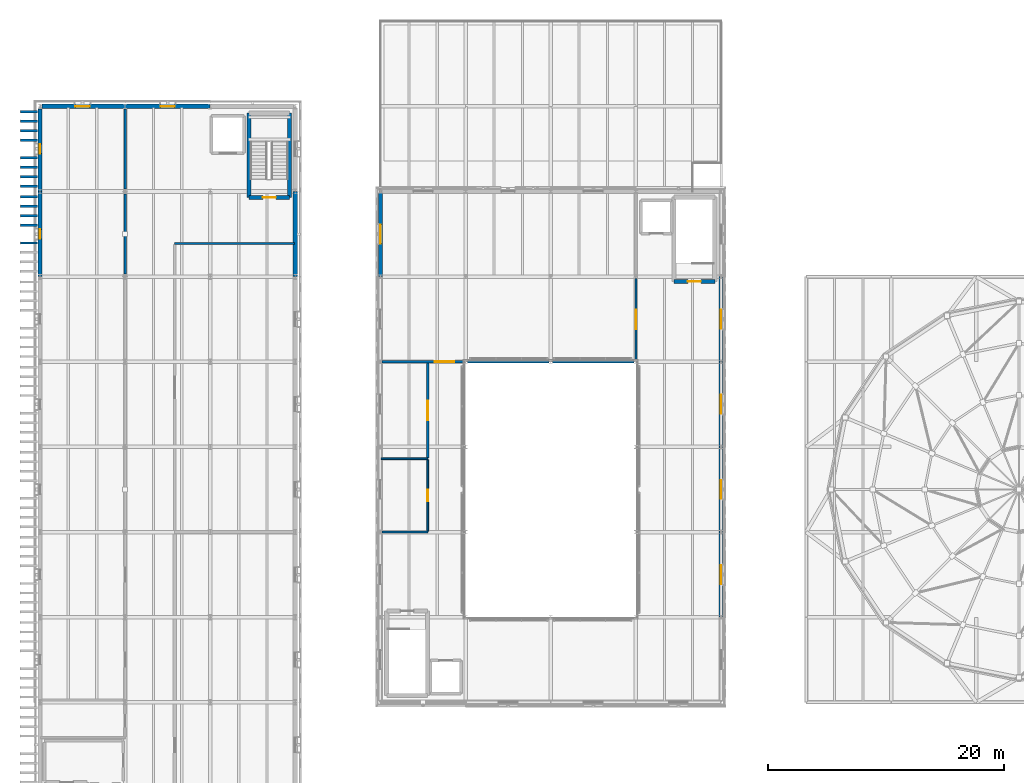
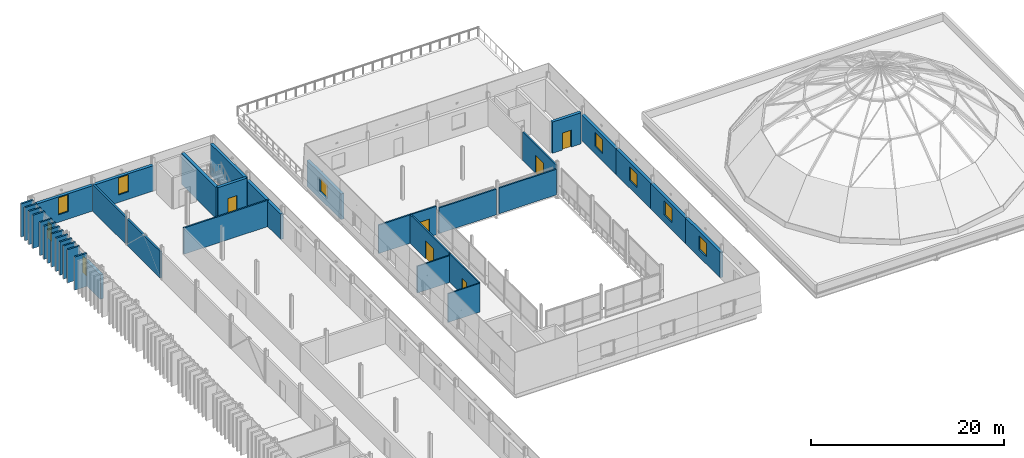
# One storey, part 47 of 66: 38 walls, 9 windows, 6 doors, 15 openings.
"""IFC4 building model written with IfcOpenShell, lengths in metres."""

from ifc_helpers import new_model, si_unit, direction, frame, frame_2d, origin, place, context, subcontext, project, spatial, rectangle, extrude, material, layer, layer_set, type_object, element, fill, save


model = new_model("IFC4")

# Units and contexts
model_context = context("Model", 3, precision=1e-05, world=origin(), true_north=direction((0.0, 1.0)))
body_context = subcontext(model_context, "Body", "Model", "MODEL_VIEW")
ifc_project = project(units=[si_unit("LENGTHUNIT", "METRE"), si_unit("AREAUNIT", "SQUARE_METRE"), si_unit("VOLUMEUNIT", "CUBIC_METRE"), si_unit("PLANEANGLEUNIT", "RADIAN"), si_unit("MASSUNIT", "GRAM", prefix="KILO")], contexts=[model_context])

# Site, building, storey
site_placement = place(None, origin())
site = spatial("IfcSite", under=ifc_project, at=site_placement, CompositionType="ELEMENT")
building_placement = place(site_placement, origin())
building = spatial("IfcBuilding", under=site, at=building_placement, Name="Narikvali Park Central Library", CompositionType="ELEMENT")
storey_placement = place(building_placement, frame((0.0, 0.0, 18.60009765625)))
storey = spatial("IfcBuildingStorey", under=building, at=storey_placement, Name="L04", CompositionType="ELEMENT", Elevation=18.60009765625)

# Walls
ifc_material_1 = material(Name="Reinforced Masonry Blockwork C30/37", Category="masonry")
ifc_layer_1 = layer(ifc_material_1, 0.219970703125, Name="Reinforced Masonry Blockwork C30/37")
ifc_layer_set_1 = layer_set([ifc_layer_1], Name="Reinforced Masonry Blockwork C30/37")
wall_type_1 = type_object("IfcWallType", Name="Archive Fire-Resisting Partition 220", PredefinedType="SOLIDWALL", material=ifc_layer_set_1)
for number, where, z_axis, x_axis, name in (
    (1, (7.199951171875, 93.803955078125, 0.0), (0.0, 0.0, 1.0), (0.0, 1.0, 0.0), "Special Collections Closed Stacks L04 Partition E"),
    (2, (7.199951171875, 101.00390625, 0.0), (0.0, 0.0, 1.0), (0.0, 1.0, 0.0), "Special Collections Closed Stacks L04 Partition E"),
):
    element("IfcWall", number, at=place(storey_placement, frame(where, z_axis=z_axis, x_axis=x_axis)), inside=storey, type_object=wall_type_1, Name=name, PredefinedType="SOLIDWALL", context=body_context, shape_type="SweptSolid", body=[
        extrude(rectangle(XDim=6.7919921875, YDim=0.219970703125, at=frame_2d((3.39599609375, 0.0))), origin(), (0.0, 0.0, 1.0), 3.385009765625),
    ])
ifc_material_2 = material(Name="Kiln-Fired Terracotta Red Brick Masonry", Category="masonry")
ifc_layer_2 = layer(ifc_material_2, 0.199951171875, Name="Kiln-Fired Terracotta Red Brick Masonry")
ifc_layer_set_2 = layer_set([ifc_layer_2], Name="Kiln-Fired Terracotta Red Brick Masonry")
wall_type_2 = type_object("IfcWallType", Name="Kiln-Fired Red Brick Vertical Fin Wall 200", PredefinedType="SOLIDWALL", material=ifc_layer_set_2)
for number, where, z_axis, x_axis, name in (
    (3, (-1.659912109375, 96.449951171875, 0.0), (0.0, 0.0, 1.0), (1.0, 0.0, 0.0), "West Stacks Red Brick Vertical Fin Pier 431"),
    (4, (-1.659912109375, 97.949951171875, 0.0), (0.0, 0.0, 1.0), (1.0, 0.0, 0.0), "West Stacks Red Brick Vertical Fin Pier 437"),
    (5, (-1.659912109375, 98.75, 0.0), (0.0, 0.0, 1.0), (1.0, 0.0, 0.0), "West Stacks Red Brick Vertical Fin Pier 443"),
    (6, (-1.659912109375, 99.550048828125, 0.0), (0.0, 0.0, 1.0), (1.0, 0.0, 0.0), "West Stacks Red Brick Vertical Fin Pier 449"),
    (7, (-1.659912109375, 100.35009765625, 0.0), (0.0, 0.0, 1.0), (1.0, 0.0, 0.0), "West Stacks Red Brick Vertical Fin Pier 455"),
    (8, (-1.659912109375, 101.25, 0.0), (0.0, 0.0, 1.0), (1.0, 0.0, 0.0), "West Stacks Red Brick Vertical Fin Pier 461"),
    (9, (-1.659912109375, 102.050048828125, 0.0), (0.0, 0.0, 1.0), (1.0, 0.0, 0.0), "West Stacks Red Brick Vertical Fin Pier 467"),
    (10, (-1.659912109375, 102.85009765625, 0.0), (0.0, 0.0, 1.0), (1.0, 0.0, 0.0), "West Stacks Red Brick Vertical Fin Pier 473"),
    (11, (-1.659912109375, 103.64990234375, 0.0), (0.0, 0.0, 1.0), (1.0, 0.0, 0.0), "West Stacks Red Brick Vertical Fin Pier 479"),
    (12, (-1.659912109375, 105.14990234375, 0.0), (0.0, 0.0, 1.0), (1.0, 0.0, 0.0), "West Stacks Red Brick Vertical Fin Pier 485"),
    (13, (-1.659912109375, 105.949951171875, 0.0), (0.0, 0.0, 1.0), (1.0, 0.0, 0.0), "West Stacks Red Brick Vertical Fin Pier 491"),
    (14, (-1.659912109375, 106.75, 0.0), (0.0, 0.0, 1.0), (1.0, 0.0, 0.0), "West Stacks Red Brick Vertical Fin Pier 497"),
    (15, (-1.659912109375, 107.550048828125, 0.0), (0.0, 0.0, 1.0), (1.0, 0.0, 0.0), "West Stacks Red Brick Vertical Fin Pier 503"),
):
    element("IfcWall", number, at=place(storey_placement, frame(where, z_axis=z_axis, x_axis=x_axis)), inside=storey, type_object=wall_type_2, Name=name, PredefinedType="SOLIDWALL", context=body_context, shape_type="SweptSolid", body=[
        extrude(rectangle(XDim=1.43994140625, YDim=0.199951171875, at=frame_2d((0.719970703125, 0.0))), origin(), (0.0, 0.0, 1.0), 4.199951171875),
    ])
ifc_material_3 = material(Name="Moisture-Resistant Cement Board on Steel Studs", Category="steel")
ifc_layer_3 = layer(ifc_material_3, 0.14990234375, Name="Moisture-Resistant Cement Board on Steel Studs")
ifc_layer_set_3 = layer_set([ifc_layer_3], Name="Moisture-Resistant Cement Board on Steel Studs")
wall_type_3 = type_object("IfcWallType", Name="Moisture-Resistant WC Partition 150", PredefinedType="PARTITIONING", material=ifc_layer_set_3)
wall_1_placement = place(storey_placement, frame((28.944091796875, 72.0, 0.0), z_axis=(0.0, 0.0, 1.0), x_axis=(1.0, 0.0, 0.0)))
element("IfcWall", 16, at=wall_1_placement, inside=storey, type_object=wall_type_3, Name="Atrium Accessible WC L04 Partition S", PredefinedType="PARTITIONING", context=body_context, shape_type="SweptSolid", body=[
    extrude(rectangle(XDim=3.85595703125, YDim=0.14990234375, at=frame_2d((1.927978515625, 0.0))), origin(), (0.0, 0.0, 1.0), 3.635009765625),
])
wall_2_placement = place(storey_placement, frame((28.85498046875, 78.199951171875, 0.0), z_axis=(0.0, 0.0, 1.0), x_axis=(1.0, 0.0, 0.0)))
element("IfcWall", 17, at=wall_2_placement, inside=storey, type_object=wall_type_3, Name="Atrium Accessible WC L04 Partition N", PredefinedType="PARTITIONING", context=body_context, shape_type="SweptSolid", body=[
    extrude(rectangle(XDim=3.945068359375, YDim=0.14990234375, at=frame_2d((1.97265625, 0.0))), origin(), (0.0, 0.0, 1.0), 3.39501953125),
])

# Wall, opening, door
wall_3_placement = place(storey_placement, frame((32.800048828125, 72.076904296875, 0.0), z_axis=(0.0, 0.0, 1.0), x_axis=(0.0, 1.0, 0.0)))
wall_3 = element("IfcWall", 18, at=wall_3_placement, inside=storey, type_object=wall_type_3, Name="Atrium Accessible WC L04 Partition E", PredefinedType="PARTITIONING", context=body_context, shape_type="SweptSolid", body=[
    extrude(rectangle(XDim=6.046142578125, YDim=0.14990234375, at=frame_2d((3.02294921875, 0.0))), origin(), (0.0, 0.0, 1.0), 3.635009765625),
])
opening_1_placement = place(wall_3_placement, frame((2.532958984375, 0.0, 0.0)))
opening_1 = element("IfcOpeningElement", 19, at=opening_1_placement, cuts=wall_3, Name="Opening ID-0016", PredefinedType="OPENING", context=body_context, shape_type="SweptSolid", body=[
    extrude(rectangle(XDim=0.97998046875, YDim=2.10009765625, at=frame_2d((0.489990234375, 1.050048828125))), frame((0.0, 0.0869140625, 0.0), z_axis=(0.0, -1.0, 0.0), x_axis=(1.0, 0.0, 0.0)), (0.0, 0.0, 1.0), 0.173828125),
])
ifc_material_4 = material(Name="Laminate Faced Hardwood Core", Category="wood")
door_type_1 = type_object("IfcDoorType", Name="Accessible WC Outward-Opening Door 980x2100", OperationType="SINGLE_SWING_RIGHT", PredefinedType="DOOR", material=ifc_material_4)
door_1_placement = place(opening_1_placement, frame((0.97998046875, 0.0, 0.0), z_axis=(0.0, 0.0, 1.0), x_axis=(-1.0, 0.0, 0.0)))
door_1 = element("IfcDoor", 20, at=door_1_placement, inside=storey, type_object=door_type_1, Name="Atrium Accessible WC L04 Door ID-0016", OperationType="SINGLE_SWING_RIGHT", OverallHeight=2.10009765625, OverallWidth=0.97998046875, PredefinedType="DOOR", context=body_context, shape_type="SweptSolid", body=[
    extrude(rectangle(XDim=0.97998046875, YDim=2.10009765625, at=frame_2d((0.489990234375, 1.050048828125))), frame((0.0, 0.02490234375, 0.0), z_axis=(0.0, -1.0, 0.0), x_axis=(1.0, 0.0, 0.0)), (0.0, 0.0, 1.0), 0.050048828125),
])
fill(opening_1, door_1)

ifc_material_5 = material(Name="Acoustic Gypsum on Steel Studs", Category="steel")
ifc_layer_4 = layer(ifc_material_5, 0.179931640625, Name="Acoustic Gypsum on Steel Studs")
ifc_layer_set_4 = layer_set([ifc_layer_4], Name="Acoustic Gypsum on Steel Studs")
wall_type_4 = type_object("IfcWallType", Name="Reading Room Acoustic Partition 180", PredefinedType="PARTITIONING", material=ifc_layer_set_4)
wall_4_placement = place(storey_placement, frame((28.944091796875, 86.39990234375, 0.0), z_axis=(0.0, 0.0, 1.0), x_axis=(1.0, 0.0, 0.0)))
wall_4 = element("IfcWall", 21, at=wall_4_placement, inside=storey, type_object=wall_type_4, Name="Sciences and Arts Reading Room L04 Partition S", PredefinedType="PARTITIONING", context=body_context, shape_type="SweptSolid", body=[
    extrude(rectangle(XDim=6.911865234375, YDim=0.179931640625, at=frame_2d((3.4560546875, 0.0))), origin(), (0.0, 0.0, 1.0), 3.594970703125),
])
opening_2_placement = place(wall_4_placement, frame((4.43896484375, 0.0, 0.0)))
opening_2 = element("IfcOpeningElement", 22, at=opening_2_placement, cuts=wall_4, Name="Opening ID-0104", PredefinedType="OPENING", context=body_context, shape_type="SweptSolid", body=[
    extrude(rectangle(XDim=1.64990234375, YDim=2.25, at=frame_2d((0.824951171875, 1.125))), frame((0.0, 0.10205078125, 0.0), z_axis=(0.0, -1.0, 0.0), x_axis=(1.0, 0.0, 0.0)), (0.0, 0.0, 1.0), 0.203857421875),
])
ifc_material_6 = material(Name="Caucasian Oak and Tempered Glass", Category="glass")
door_type_2 = type_object("IfcDoorType", Name="Open Stacks Double Glazed Door 1650x2250", OperationType="DOUBLE_DOOR_SINGLE_SWING", PredefinedType="DOOR", material=ifc_material_6)
door_2_placement = place(opening_2_placement, origin())
door_2 = element("IfcDoor", 23, at=door_2_placement, inside=storey, type_object=door_type_2, Name="Sciences and Arts Reading Room L04 Door ID-0104", OperationType="DOUBLE_DOOR_SINGLE_SWING", OverallHeight=2.25, OverallWidth=1.64990234375, PredefinedType="DOOR", context=body_context, shape_type="SweptSolid", body=[
    extrude(rectangle(XDim=1.64990234375, YDim=2.25, at=frame_2d((0.824951171875, 1.125))), frame((0.0, 0.02490234375, 0.0), z_axis=(0.0, -1.0, 0.0), x_axis=(1.0, 0.0, 0.0)), (0.0, 0.0, 1.0), 0.050048828125),
])
fill(opening_2, door_2)

# Walls
wall_5_placement = place(storey_placement, frame((36.14404296875, 86.39990234375, 0.0), z_axis=(0.0, 0.0, 1.0), x_axis=(1.0, 0.0, 0.0)))
element("IfcWall", 24, at=wall_5_placement, inside=storey, type_object=wall_type_4, Name="Sciences and Arts Reading Room L04 Partition S", PredefinedType="PARTITIONING", context=body_context, shape_type="SweptSolid", body=[
    extrude(rectangle(XDim=6.911865234375, YDim=0.179931640625, at=frame_2d((3.4560546875, 0.0))), origin(), (0.0, 0.0, 1.0), 3.244873046875),
])
wall_6_placement = place(storey_placement, frame((43.343994140625, 86.39990234375, 0.0), z_axis=(0.0, 0.0, 1.0), x_axis=(1.0, 0.0, 0.0)))
element("IfcWall", 25, at=wall_6_placement, inside=storey, type_object=wall_type_4, Name="Sciences and Arts Reading Room L04 Partition S", PredefinedType="PARTITIONING", context=body_context, shape_type="SweptSolid", body=[
    extrude(rectangle(XDim=6.912109375, YDim=0.179931640625, at=frame_2d((3.4560546875, 0.0))), origin(), (0.0, 0.0, 1.0), 3.244873046875),
])
wall_7_placement = place(storey_placement, frame((11.39990234375, 96.39990234375, 0.0), z_axis=(0.0, 0.0, 1.0), x_axis=(1.0, 0.0, 0.0)))
element("IfcWall", 26, at=wall_7_placement, inside=storey, type_object=wall_type_4, Name="Cartographic and Maps Reading Room Partition N", PredefinedType="PARTITIONING", context=body_context, shape_type="SweptSolid", body=[
    extrude(rectangle(XDim=10.14501953125, YDim=0.179931640625, at=frame_2d((5.072509765625, 0.0))), origin(), (0.0, 0.0, 1.0), 3.324951171875),
])

# Wall, opening, door
wall_8_placement = place(storey_placement, frame((50.39990234375, 86.5439453125, 0.0), z_axis=(0.0, 0.0, 1.0), x_axis=(0.0, 1.0, 0.0)))
wall_8 = element("IfcWall", 27, at=wall_8_placement, inside=storey, type_object=wall_type_4, Name="Sciences and Arts Reading Room L04 Partition E", PredefinedType="PARTITIONING", context=body_context, shape_type="SweptSolid", body=[
    extrude(rectangle(XDim=6.912109375, YDim=0.179931640625, at=frame_2d((3.4560546875, 0.0))), origin(), (0.0, 0.0, 1.0), 3.594970703125),
])
opening_3_placement = place(wall_8_placement, frame((2.623046875, 0.0, 0.0)))
opening_3 = element("IfcOpeningElement", 28, at=opening_3_placement, cuts=wall_8, Name="Opening ID-0103", PredefinedType="OPENING", context=body_context, shape_type="SweptSolid", body=[
    extrude(rectangle(XDim=1.64990234375, YDim=2.25, at=frame_2d((0.824951171875, 1.125))), frame((0.0, 0.10205078125, 0.0), z_axis=(0.0, -1.0, 0.0), x_axis=(1.0, 0.0, 0.0)), (0.0, 0.0, 1.0), 0.203857421875),
])
door_3_placement = place(opening_3_placement, origin())
door_3 = element("IfcDoor", 29, at=door_3_placement, inside=storey, type_object=door_type_2, Name="Sciences and Arts Reading Room L04 Door ID-0103", OperationType="DOUBLE_DOOR_SINGLE_SWING", OverallHeight=2.25, OverallWidth=1.64990234375, PredefinedType="DOOR", context=body_context, shape_type="SweptSolid", body=[
    extrude(rectangle(XDim=1.64990234375, YDim=2.25, at=frame_2d((0.824951171875, 1.125))), frame((0.0, 0.02490234375, 0.0), z_axis=(0.0, -1.0, 0.0), x_axis=(1.0, 0.0, 0.0)), (0.0, 0.0, 1.0), 0.050048828125),
])
fill(opening_3, door_3)

wall_9_placement = place(storey_placement, frame((32.800048828125, 78.277099609375, 0.0), z_axis=(0.0, 0.0, 1.0), x_axis=(0.0, 1.0, 0.0)))
wall_9 = element("IfcWall", 30, at=wall_9_placement, inside=storey, type_object=wall_type_4, Name="Atrium Open Book Stacks L04 Partition E", PredefinedType="PARTITIONING", context=body_context, shape_type="SweptSolid", body=[
    extrude(rectangle(XDim=8.031005859375, YDim=0.179931640625, at=frame_2d((4.015625, 0.0))), origin(), (0.0, 0.0, 1.0), 3.635009765625),
])
opening_4_placement = place(wall_9_placement, frame((3.1904296875, 0.0, 0.0)))
opening_4 = element("IfcOpeningElement", 31, at=opening_4_placement, cuts=wall_9, Name="Opening ID-0105", PredefinedType="OPENING", context=body_context, shape_type="SweptSolid", body=[
    extrude(rectangle(XDim=1.64990234375, YDim=2.25, at=frame_2d((0.824951171875, 1.125))), frame((0.0, 0.10205078125, 0.0), z_axis=(0.0, -1.0, 0.0), x_axis=(1.0, 0.0, 0.0)), (0.0, 0.0, 1.0), 0.203857421875),
])
door_4_placement = place(opening_4_placement, origin())
door_4 = element("IfcDoor", 32, at=door_4_placement, inside=storey, type_object=door_type_2, Name="Atrium Open Book Stacks L04 Door ID-0105", OperationType="DOUBLE_DOOR_SINGLE_SWING", OverallHeight=2.25, OverallWidth=1.64990234375, PredefinedType="DOOR", context=body_context, shape_type="SweptSolid", body=[
    extrude(rectangle(XDim=1.64990234375, YDim=2.25, at=frame_2d((0.824951171875, 1.125))), frame((0.0, 0.02490234375, 0.0), z_axis=(0.0, -1.0, 0.0), x_axis=(1.0, 0.0, 0.0)), (0.0, 0.0, 1.0), 0.050048828125),
])
fill(opening_4, door_4)

ifc_material_7 = material(Name="Concrete C40/50", Category="concrete")
ifc_layer_5 = layer(ifc_material_7, 0.35009765625, Name="Concrete C40/50")
ifc_layer_set_5 = layer_set([ifc_layer_5], Name="Concrete C40/50")
wall_type_5 = type_object("IfcWallType", Name="Reinforced Concrete Core Shear Wall 350", PredefinedType="SHEAR", material=ifc_layer_set_5)
wall_10_placement = place(storey_placement, frame((53.6298828125, 93.179931640625, 0.0), z_axis=(0.0, 0.0, 1.0), x_axis=(1.0, 0.0, 0.0)))
wall_10 = element("IfcWall", 33, at=wall_10_placement, inside=storey, type_object=wall_type_5, Name="C4B L04 Stair Core Shear Wall S", PredefinedType="SHEAR", context=body_context, shape_type="SweptSolid", body=[
    extrude(rectangle(XDim=3.440185546875, YDim=0.35009765625, at=frame_2d((1.72021484375, 0.0))), origin(), (0.0, 0.0, 1.0), 3.9599609375),
])
opening_5_placement = place(wall_10_placement, frame((1.169921875, 0.0, 0.0)))
opening_5 = element("IfcOpeningElement", 34, at=opening_5_placement, cuts=wall_10, Name="Opening SD-035", PredefinedType="OPENING", context=body_context, shape_type="SweptSolid", body=[
    extrude(rectangle(XDim=1.10009765625, YDim=2.14990234375, at=frame_2d((0.550048828125, 1.074951171875))), frame((0.0, 0.18701171875, 0.0), z_axis=(0.0, -1.0, 0.0), x_axis=(1.0, 0.0, 0.0)), (0.0, 0.0, 1.0), 0.3740234375),
])
ifc_material_8 = material(Name="Powder-Coated Steel S275 Fire Leaf", Category="steel")
door_type_3 = type_object("IfcDoorType", Name="Stair Core Smoke-Control Fire Door 1100x2150", OperationType="SINGLE_SWING_LEFT", PredefinedType="DOOR", material=ifc_material_8)
door_5_placement = place(opening_5_placement, frame((1.10009765625, 0.0, 0.0), z_axis=(0.0, 0.0, 1.0), x_axis=(-1.0, 0.0, 0.0)))
door_5 = element("IfcDoor", 35, at=door_5_placement, inside=storey, type_object=door_type_3, Name="ST-08 L04 Stair Exit Door SD-035", OperationType="SINGLE_SWING_LEFT", OverallHeight=2.14990234375, OverallWidth=1.10009765625, PredefinedType="DOOR", context=body_context, shape_type="SweptSolid", body=[
    extrude(rectangle(XDim=1.10009765625, YDim=2.14990234375, at=frame_2d((0.550048828125, 1.074951171875))), frame((0.0, 0.02490234375, 0.0), z_axis=(0.0, -1.0, 0.0), x_axis=(1.0, 0.0, 0.0)), (0.0, 0.0, 1.0), 0.050048828125),
])
fill(opening_5, door_5)

wall_11_placement = place(storey_placement, frame((17.679931640625, 100.280029296875, 0.0), z_axis=(0.0, 0.0, 1.0), x_axis=(1.0, 0.0, 0.0)))
wall_11 = element("IfcWall", 36, at=wall_11_placement, inside=storey, type_object=wall_type_5, Name="C5B L04 Stair Core Shear Wall S", PredefinedType="SHEAR", context=body_context, shape_type="SweptSolid", body=[
    extrude(rectangle(XDim=3.440185546875, YDim=0.35009765625, at=frame_2d((1.72021484375, 0.0))), origin(), (0.0, 0.0, 1.0), 3.93994140625),
])
opening_6_placement = place(wall_11_placement, frame((1.169921875, 0.0, 0.0)))
opening_6 = element("IfcOpeningElement", 37, at=opening_6_placement, cuts=wall_11, Name="Opening SD-055", PredefinedType="OPENING", context=body_context, shape_type="SweptSolid", body=[
    extrude(rectangle(XDim=1.10009765625, YDim=2.14990234375, at=frame_2d((0.550048828125, 1.074951171875))), frame((0.0, 0.18701171875, 0.0), z_axis=(0.0, -1.0, 0.0), x_axis=(1.0, 0.0, 0.0)), (0.0, 0.0, 1.0), 0.3740234375),
])
door_6_placement = place(opening_6_placement, frame((1.10009765625, 0.0, 0.0), z_axis=(0.0, 0.0, 1.0), x_axis=(-1.0, 0.0, 0.0)))
door_6 = element("IfcDoor", 38, at=door_6_placement, inside=storey, type_object=door_type_3, Name="ST-10 L04 Stair Exit Door SD-055", OperationType="SINGLE_SWING_LEFT", OverallHeight=2.14990234375, OverallWidth=1.10009765625, PredefinedType="DOOR", context=body_context, shape_type="SweptSolid", body=[
    extrude(rectangle(XDim=1.10009765625, YDim=2.14990234375, at=frame_2d((0.550048828125, 1.074951171875))), frame((0.0, 0.02490234375, 0.0), z_axis=(0.0, -1.0, 0.0), x_axis=(1.0, 0.0, 0.0)), (0.0, 0.0, 1.0), 0.050048828125),
])
fill(opening_6, door_6)

# Walls
for number, where, z_axis, x_axis, name in (
    (39, (21.1201171875, 100.280029296875, 0.0), (0.0, 0.0, 1.0), (0.0, 1.0, 0.0), "C5B L04 Stair Core Shear Wall E"),
    (40, (17.679931640625, 107.419921875, 0.0), (0.0, 0.0, 1.0), (0.0, -1.0, 0.0), "C5B L04 Stair Core Shear Wall W"),
):
    element("IfcWall", number, at=place(storey_placement, frame(where, z_axis=z_axis, x_axis=x_axis)), inside=storey, type_object=wall_type_5, Name=name, PredefinedType="SHEAR", context=body_context, shape_type="SweptSolid", body=[
        extrude(rectangle(XDim=7.139892578125, YDim=0.35009765625, at=frame_2d((3.56982421875, 0.0))), origin(), (0.0, 0.0, 1.0), 3.93994140625),
    ])

# Wall, opening, window
ifc_material_9 = material(Name="White Honed Limestone over Concrete C35/45", Category="masonry")
ifc_layer_6 = layer(ifc_material_9, 0.360107421875, Name="White Honed Limestone over Concrete C35/45")
ifc_layer_set_6 = layer_set([ifc_layer_6], Name="White Honed Limestone over Concrete C35/45")
wall_type_6 = type_object("IfcWallType", Name="White Limestone Attic Clerestory Wall 360", PredefinedType="SOLIDWALL", material=ifc_layer_set_6)
wall_12_placement = place(storey_placement, frame((57.60009765625, 64.800048828125, 0.0), z_axis=(0.0, 0.0, 1.0), x_axis=(0.0, 1.0, 0.0)))
wall_12 = element("IfcWall", 41, at=wall_12_placement, inside=storey, type_object=wall_type_6, Name="V4 L04 E Exterior Limestone Wall B02", PredefinedType="SOLIDWALL", context=body_context, shape_type="SweptSolid", body=[
    extrude(rectangle(XDim=7.199951171875, YDim=0.360107421875, at=frame_2d((3.60009765625, 0.0))), origin(), (0.0, 0.0, 1.0), 3.239990234375),
])
opening_7_placement = place(wall_12_placement, frame((2.800048828125, 0.0, 0.949951171875)))
opening_7 = element("IfcOpeningElement", 42, at=opening_7_placement, cuts=wall_12, Name="Opening WIN-0210", PredefinedType="OPENING", context=body_context, shape_type="SweptSolid", body=[
    extrude(rectangle(XDim=1.60009765625, YDim=1.75, at=frame_2d((0.800048828125, 0.875))), frame((0.0, 0.19189453125, 0.0), z_axis=(0.0, -1.0, 0.0), x_axis=(1.0, 0.0, 0.0)), (0.0, 0.0, 1.0), 0.384033203125),
])
ifc_material_10 = material(Name="Anodised Bronze Aluminium and Low-E Triple Glazing", Category="aluminium")
window_type_1 = type_object("IfcWindowType", Name="Atrium Attic Study Punched Window 1600x1750", PartitioningType="DOUBLE_PANEL_HORIZONTAL", PredefinedType="WINDOW", material=ifc_material_10)
window_1_placement = place(opening_7_placement, origin())
window_1 = element("IfcWindow", 43, at=window_1_placement, inside=storey, type_object=window_type_1, Name="V4 L04 E Deep-Reveal Window WIN-0210", OverallHeight=1.75, OverallWidth=1.60009765625, PartitioningType="SINGLE_PANEL", PredefinedType="WINDOW", context=body_context, shape_type="SweptSolid", body=[
    extrude(rectangle(XDim=1.60009765625, YDim=1.75, at=frame_2d((0.800048828125, 0.875))), frame((0.0, 0.030029296875, 0.0), z_axis=(0.0, -1.0, 0.0), x_axis=(1.0, 0.0, 0.0)), (0.0, 0.0, 1.0), 0.06005859375),
])
fill(opening_7, window_1)

wall_13_placement = place(storey_placement, frame((57.60009765625, 72.0, 0.0), z_axis=(0.0, 0.0, 1.0), x_axis=(0.0, 1.0, 0.0)))
wall_13 = element("IfcWall", 44, at=wall_13_placement, inside=storey, type_object=wall_type_6, Name="V4 L04 E Exterior Limestone Wall B03", PredefinedType="SOLIDWALL", context=body_context, shape_type="SweptSolid", body=[
    extrude(rectangle(XDim=7.199951171875, YDim=0.360107421875, at=frame_2d((3.60009765625, 0.0))), origin(), (0.0, 0.0, 1.0), 3.239990234375),
])
opening_8_placement = place(wall_13_placement, frame((2.800048828125, 0.0, 0.949951171875)))
opening_8 = element("IfcOpeningElement", 45, at=opening_8_placement, cuts=wall_13, Name="Opening WIN-0211", PredefinedType="OPENING", context=body_context, shape_type="SweptSolid", body=[
    extrude(rectangle(XDim=1.60009765625, YDim=1.75, at=frame_2d((0.800048828125, 0.875))), frame((0.0, 0.19189453125, 0.0), z_axis=(0.0, -1.0, 0.0), x_axis=(1.0, 0.0, 0.0)), (0.0, 0.0, 1.0), 0.384033203125),
])
window_2_placement = place(opening_8_placement, origin())
window_2 = element("IfcWindow", 46, at=window_2_placement, inside=storey, type_object=window_type_1, Name="V4 L04 E Deep-Reveal Window WIN-0211", OverallHeight=1.75, OverallWidth=1.60009765625, PartitioningType="SINGLE_PANEL", PredefinedType="WINDOW", context=body_context, shape_type="SweptSolid", body=[
    extrude(rectangle(XDim=1.60009765625, YDim=1.75, at=frame_2d((0.800048828125, 0.875))), frame((0.0, 0.030029296875, 0.0), z_axis=(0.0, -1.0, 0.0), x_axis=(1.0, 0.0, 0.0)), (0.0, 0.0, 1.0), 0.06005859375),
])
fill(opening_8, window_2)

wall_14_placement = place(storey_placement, frame((57.60009765625, 79.199951171875, 0.0), z_axis=(0.0, 0.0, 1.0), x_axis=(0.0, 1.0, 0.0)))
wall_14 = element("IfcWall", 47, at=wall_14_placement, inside=storey, type_object=wall_type_6, Name="V4 L04 E Exterior Limestone Wall B04", PredefinedType="SOLIDWALL", context=body_context, shape_type="SweptSolid", body=[
    extrude(rectangle(XDim=7.199951171875, YDim=0.360107421875, at=frame_2d((3.60009765625, 0.0))), origin(), (0.0, 0.0, 1.0), 3.239990234375),
])
opening_9_placement = place(wall_14_placement, frame((2.800048828125, 0.0, 0.949951171875)))
opening_9 = element("IfcOpeningElement", 48, at=opening_9_placement, cuts=wall_14, Name="Opening WIN-0212", PredefinedType="OPENING", context=body_context, shape_type="SweptSolid", body=[
    extrude(rectangle(XDim=1.60009765625, YDim=1.75, at=frame_2d((0.800048828125, 0.875))), frame((0.0, 0.19189453125, 0.0), z_axis=(0.0, -1.0, 0.0), x_axis=(1.0, 0.0, 0.0)), (0.0, 0.0, 1.0), 0.384033203125),
])
window_3_placement = place(opening_9_placement, origin())
window_3 = element("IfcWindow", 49, at=window_3_placement, inside=storey, type_object=window_type_1, Name="V4 L04 E Deep-Reveal Window WIN-0212", OverallHeight=1.75, OverallWidth=1.60009765625, PartitioningType="SINGLE_PANEL", PredefinedType="WINDOW", context=body_context, shape_type="SweptSolid", body=[
    extrude(rectangle(XDim=1.60009765625, YDim=1.75, at=frame_2d((0.800048828125, 0.875))), frame((0.0, 0.030029296875, 0.0), z_axis=(0.0, -1.0, 0.0), x_axis=(1.0, 0.0, 0.0)), (0.0, 0.0, 1.0), 0.06005859375),
])
fill(opening_9, window_3)

wall_15_placement = place(storey_placement, frame((57.60009765625, 86.39990234375, 0.0), z_axis=(0.0, 0.0, 1.0), x_axis=(0.0, 1.0, 0.0)))
wall_15 = element("IfcWall", 50, at=wall_15_placement, inside=storey, type_object=wall_type_6, Name="V4 L04 E Exterior Limestone Wall B05", PredefinedType="SOLIDWALL", context=body_context, shape_type="SweptSolid", body=[
    extrude(rectangle(XDim=7.2001953125, YDim=0.360107421875, at=frame_2d((3.60009765625, 0.0))), origin(), (0.0, 0.0, 1.0), 3.239990234375),
])
opening_10_placement = place(wall_15_placement, frame((2.800048828125, 0.0, 0.949951171875)))
opening_10 = element("IfcOpeningElement", 51, at=opening_10_placement, cuts=wall_15, Name="Opening WIN-0213", PredefinedType="OPENING", context=body_context, shape_type="SweptSolid", body=[
    extrude(rectangle(XDim=1.60009765625, YDim=1.75, at=frame_2d((0.800048828125, 0.875))), frame((0.0, 0.19189453125, 0.0), z_axis=(0.0, -1.0, 0.0), x_axis=(1.0, 0.0, 0.0)), (0.0, 0.0, 1.0), 0.384033203125),
])
window_4_placement = place(opening_10_placement, origin())
window_4 = element("IfcWindow", 52, at=window_4_placement, inside=storey, type_object=window_type_1, Name="V4 L04 E Deep-Reveal Window WIN-0213", OverallHeight=1.75, OverallWidth=1.60009765625, PartitioningType="SINGLE_PANEL", PredefinedType="WINDOW", context=body_context, shape_type="SweptSolid", body=[
    extrude(rectangle(XDim=1.60009765625, YDim=1.75, at=frame_2d((0.800048828125, 0.875))), frame((0.0, 0.030029296875, 0.0), z_axis=(0.0, -1.0, 0.0), x_axis=(1.0, 0.0, 0.0)), (0.0, 0.0, 1.0), 0.06005859375),
])
fill(opening_10, window_4)

wall_16_placement = place(storey_placement, frame((28.800048828125, 100.656005859375, 0.0), z_axis=(0.0, 0.0, 1.0), x_axis=(0.0, -1.0, 0.0)))
wall_16 = element("IfcWall", 53, at=wall_16_placement, inside=storey, type_object=wall_type_6, Name="V4 L04 W Exterior Limestone Wall B01", PredefinedType="SOLIDWALL", context=body_context, shape_type="SweptSolid", body=[
    extrude(rectangle(XDim=7.055908203125, YDim=0.360107421875, at=frame_2d((3.52783203125, 0.0))), origin(), (0.0, 0.0, 1.0), 3.239990234375),
])
opening_11_placement = place(wall_16_placement, frame((2.656005859375, 0.0, 0.949951171875)))
opening_11 = element("IfcOpeningElement", 54, at=opening_11_placement, cuts=wall_16, Name="Opening WIN-0217", PredefinedType="OPENING", context=body_context, shape_type="SweptSolid", body=[
    extrude(rectangle(XDim=1.60009765625, YDim=1.75, at=frame_2d((0.800048828125, 0.875))), frame((0.0, 0.19189453125, 0.0), z_axis=(0.0, -1.0, 0.0), x_axis=(1.0, 0.0, 0.0)), (0.0, 0.0, 1.0), 0.384033203125),
])
window_5_placement = place(opening_11_placement, origin())
window_5 = element("IfcWindow", 55, at=window_5_placement, inside=storey, type_object=window_type_1, Name="V4 L04 W Deep-Reveal Window WIN-0217", OverallHeight=1.75, OverallWidth=1.60009765625, PartitioningType="SINGLE_PANEL", PredefinedType="WINDOW", context=body_context, shape_type="SweptSolid", body=[
    extrude(rectangle(XDim=1.60009765625, YDim=1.75, at=frame_2d((0.800048828125, 0.875))), frame((0.0, 0.030029296875, 0.0), z_axis=(0.0, -1.0, 0.0), x_axis=(1.0, 0.0, 0.0)), (0.0, 0.0, 1.0), 0.06005859375),
])
fill(opening_11, window_5)

# Wall
wall_17_placement = place(storey_placement, frame((21.60009765625, 93.60009765625, 0.0), z_axis=(0.0, 0.0, 1.0), x_axis=(0.0, 1.0, 0.0)))
element("IfcWall", 56, at=wall_17_placement, inside=storey, type_object=wall_type_6, Name="V5 L04 E Exterior Limestone Wall B09", PredefinedType="SOLIDWALL", context=body_context, shape_type="SweptSolid", body=[
    extrude(rectangle(XDim=7.199951171875, YDim=0.360107421875, at=frame_2d((3.60009765625, 0.0))), origin(), (0.0, 0.0, 1.0), 3.219970703125),
])

# Wall, opening, window
wall_18_placement = place(storey_placement, frame((14.39990234375, 108.0, 0.0), z_axis=(0.0, 0.0, 1.0), x_axis=(-1.0, 0.0, 0.0)))
wall_18 = element("IfcWall", 57, at=wall_18_placement, inside=storey, type_object=wall_type_6, Name="V5 L04 N Exterior Limestone Wall B02", PredefinedType="SOLIDWALL", context=body_context, shape_type="SweptSolid", body=[
    extrude(rectangle(XDim=7.199951171875, YDim=0.360107421875, at=frame_2d((3.60009765625, 0.0))), origin(), (0.0, 0.0, 1.0), 3.219970703125),
])
opening_12_placement = place(wall_18_placement, frame((3.0, 0.0, 0.949951171875)))
opening_12 = element("IfcOpeningElement", 58, at=opening_12_placement, cuts=wall_18, Name="Opening WIN-0317", PredefinedType="OPENING", context=body_context, shape_type="SweptSolid", body=[
    extrude(rectangle(XDim=1.199951171875, YDim=2.14990234375, at=frame_2d((0.60009765625, 1.074951171875))), frame((0.0, 0.19189453125, 0.0), z_axis=(0.0, -1.0, 0.0), x_axis=(1.0, 0.0, 0.0)), (0.0, 0.0, 1.0), 0.384033203125),
])
window_type_2 = type_object("IfcWindowType", Name="Stacks Archive Deep-Reveal Punched Window 1200x2150", PartitioningType="SINGLE_PANEL", PredefinedType="WINDOW", material=ifc_material_10)
window_6_placement = place(opening_12_placement, origin())
window_6 = element("IfcWindow", 59, at=window_6_placement, inside=storey, type_object=window_type_2, Name="V5 L04 N Deep-Reveal Window WIN-0317", OverallHeight=2.14990234375, OverallWidth=1.199951171875, PartitioningType="SINGLE_PANEL", PredefinedType="WINDOW", context=body_context, shape_type="SweptSolid", body=[
    extrude(rectangle(XDim=1.199951171875, YDim=2.14990234375, at=frame_2d((0.60009765625, 1.074951171875))), frame((0.0, 0.030029296875, 0.0), z_axis=(0.0, -1.0, 0.0), x_axis=(1.0, 0.0, 0.0)), (0.0, 0.0, 1.0), 0.06005859375),
])
fill(opening_12, window_6)

wall_19_placement = place(storey_placement, frame((7.199951171875, 108.0, 0.0), z_axis=(0.0, 0.0, 1.0), x_axis=(-1.0, 0.0, 0.0)))
wall_19 = element("IfcWall", 60, at=wall_19_placement, inside=storey, type_object=wall_type_6, Name="V5 L04 N Exterior Limestone Wall B03", PredefinedType="SOLIDWALL", context=body_context, shape_type="SweptSolid", body=[
    extrude(rectangle(XDim=7.0458984375, YDim=0.360107421875, at=frame_2d((3.52294921875, 0.0))), origin(), (0.0, 0.0, 1.0), 3.219970703125),
])
opening_13_placement = place(wall_19_placement, frame((3.0, 0.0, 0.949951171875)))
opening_13 = element("IfcOpeningElement", 61, at=opening_13_placement, cuts=wall_19, Name="Opening WIN-0318", PredefinedType="OPENING", context=body_context, shape_type="SweptSolid", body=[
    extrude(rectangle(XDim=1.199951171875, YDim=2.14990234375, at=frame_2d((0.60009765625, 1.074951171875))), frame((0.0, 0.19189453125, 0.0), z_axis=(0.0, -1.0, 0.0), x_axis=(1.0, 0.0, 0.0)), (0.0, 0.0, 1.0), 0.384033203125),
])
window_7_placement = place(opening_13_placement, origin())
window_7 = element("IfcWindow", 62, at=window_7_placement, inside=storey, type_object=window_type_2, Name="V5 L04 N Deep-Reveal Window WIN-0318", OverallHeight=2.14990234375, OverallWidth=1.199951171875, PartitioningType="SINGLE_PANEL", PredefinedType="WINDOW", context=body_context, shape_type="SweptSolid", body=[
    extrude(rectangle(XDim=1.199951171875, YDim=2.14990234375, at=frame_2d((0.60009765625, 1.074951171875))), frame((0.0, 0.030029296875, 0.0), z_axis=(0.0, -1.0, 0.0), x_axis=(1.0, 0.0, 0.0)), (0.0, 0.0, 1.0), 0.06005859375),
])
fill(opening_13, window_7)

wall_20_placement = place(storey_placement, frame((0.0, 107.7958984375, 0.0), z_axis=(0.0, 0.0, 1.0), x_axis=(0.0, -1.0, 0.0)))
wall_20 = element("IfcWall", 63, at=wall_20_placement, inside=storey, type_object=wall_type_6, Name="V5 L04 W Exterior Limestone Wall B01", PredefinedType="SOLIDWALL", context=body_context, shape_type="SweptSolid", body=[
    extrude(rectangle(XDim=6.995849609375, YDim=0.360107421875, at=frame_2d((3.498046875, 0.0))), origin(), (0.0, 0.0, 1.0), 3.059814453125),
])
opening_14_placement = place(wall_20_placement, frame((2.99609375, 0.0, 0.949951171875)))
opening_14 = element("IfcOpeningElement", 64, at=opening_14_placement, cuts=wall_20, Name="Opening WIN-0319", PredefinedType="OPENING", context=body_context, shape_type="SweptSolid", body=[
    extrude(rectangle(XDim=0.800048828125, YDim=2.14990234375, at=frame_2d((0.39990234375, 1.074951171875))), frame((0.0, 0.19189453125, 0.0), z_axis=(0.0, -1.0, 0.0), x_axis=(1.0, 0.0, 0.0)), (0.0, 0.0, 1.0), 0.384033203125),
])
window_type_3 = type_object("IfcWindowType", Name="West Fin-Bay Narrow Carrel Slot Window 800x2150", PartitioningType="SINGLE_PANEL", PredefinedType="WINDOW", material=ifc_material_10)
window_8_placement = place(opening_14_placement, origin())
window_8 = element("IfcWindow", 65, at=window_8_placement, inside=storey, type_object=window_type_3, Name="V5 L04 W Deep-Reveal Window WIN-0319", OverallHeight=2.14990234375, OverallWidth=0.800048828125, PartitioningType="SINGLE_PANEL", PredefinedType="WINDOW", context=body_context, shape_type="SweptSolid", body=[
    extrude(rectangle(XDim=0.800048828125, YDim=2.14990234375, at=frame_2d((0.39990234375, 1.074951171875))), frame((0.0, 0.030029296875, 0.0), z_axis=(0.0, -1.0, 0.0), x_axis=(1.0, 0.0, 0.0)), (0.0, 0.0, 1.0), 0.06005859375),
])
fill(opening_14, window_8)

wall_21_placement = place(storey_placement, frame((0.0, 100.800048828125, 0.0), z_axis=(0.0, 0.0, 1.0), x_axis=(0.0, -1.0, 0.0)))
wall_21 = element("IfcWall", 66, at=wall_21_placement, inside=storey, type_object=wall_type_6, Name="V5 L04 W Exterior Limestone Wall B02", PredefinedType="SOLIDWALL", context=body_context, shape_type="SweptSolid", body=[
    extrude(rectangle(XDim=7.199951171875, YDim=0.360107421875, at=frame_2d((3.60009765625, 0.0))), origin(), (0.0, 0.0, 1.0), 3.059814453125),
])
opening_15_placement = place(wall_21_placement, frame((3.199951171875, 0.0, 0.949951171875)))
opening_15 = element("IfcOpeningElement", 67, at=opening_15_placement, cuts=wall_21, Name="Opening WIN-0320", PredefinedType="OPENING", context=body_context, shape_type="SweptSolid", body=[
    extrude(rectangle(XDim=0.800048828125, YDim=2.14990234375, at=frame_2d((0.39990234375, 1.074951171875))), frame((0.0, 0.19189453125, 0.0), z_axis=(0.0, -1.0, 0.0), x_axis=(1.0, 0.0, 0.0)), (0.0, 0.0, 1.0), 0.384033203125),
])
window_9_placement = place(opening_15_placement, origin())
window_9 = element("IfcWindow", 68, at=window_9_placement, inside=storey, type_object=window_type_3, Name="V5 L04 W Deep-Reveal Window WIN-0320", OverallHeight=2.14990234375, OverallWidth=0.800048828125, PartitioningType="SINGLE_PANEL", PredefinedType="WINDOW", context=body_context, shape_type="SweptSolid", body=[
    extrude(rectangle(XDim=0.800048828125, YDim=2.14990234375, at=frame_2d((0.39990234375, 1.074951171875))), frame((0.0, 0.030029296875, 0.0), z_axis=(0.0, -1.0, 0.0), x_axis=(1.0, 0.0, 0.0)), (0.0, 0.0, 1.0), 0.06005859375),
])
fill(opening_15, window_9)

save(model, "model.ifc")
